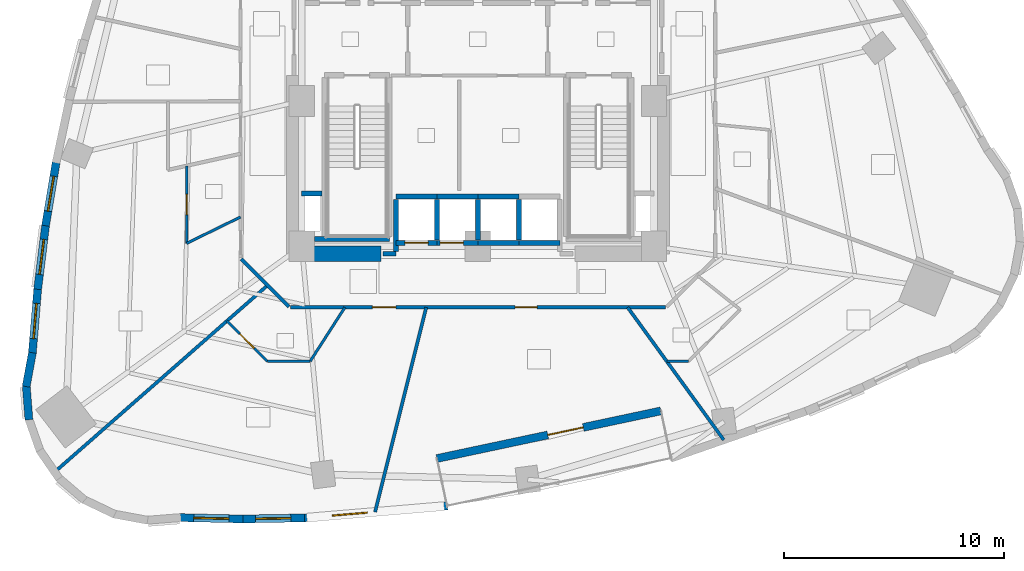
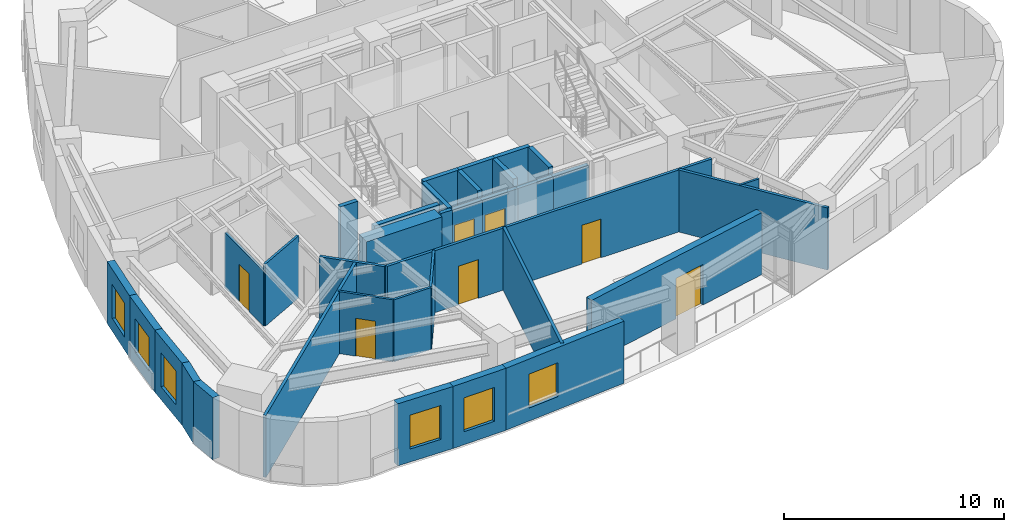
# One storey, part 5 of 12: 35 walls, 7 doors, 6 windows, 13 openings.
"""IFC4 building model written with IfcOpenShell, lengths in metres."""

from ifc_helpers import new_model, si_unit, direction, frame, frame_2d, origin, place, context, subcontext, project, spatial, rectangle, extrude, material, layer, layer_set, type_object, element, fill, save


model = new_model("IFC4")

# Units and contexts
model_context = context("Model", 3, precision=1e-05, world=origin(), true_north=direction((0.0, 1.0)))
body_context = subcontext(model_context, "Body", "Model", "MODEL_VIEW")
ifc_project = project(units=[si_unit("LENGTHUNIT", "METRE"), si_unit("AREAUNIT", "SQUARE_METRE"), si_unit("VOLUMEUNIT", "CUBIC_METRE"), si_unit("PLANEANGLEUNIT", "RADIAN"), si_unit("MASSUNIT", "GRAM", prefix="KILO")], contexts=[model_context])

# Site, building, storey
site_placement = place(None, origin())
site = spatial("IfcSite", under=ifc_project, at=site_placement, CompositionType="ELEMENT")
building_placement = place(site_placement, origin())
building = spatial("IfcBuilding", under=site, at=building_placement, Name="Ndelora Gate Hotel", CompositionType="ELEMENT")
storey_placement = place(building_placement, frame((0.0, 0.0, 79.25)))
storey = spatial("IfcBuildingStorey", under=building, at=storey_placement, Name="L19", CompositionType="ELEMENT", Elevation=79.25)

# Wall, opening, door
ifc_material_1 = material(Name="Clay Brick Masonry", Category="masonry")
ifc_layer_1 = layer(ifc_material_1, 0.360107421875)
ifc_layer_set_1 = layer_set([ifc_layer_1], Name="Clay Brick Masonry")
wall_type_1 = type_object("IfcWallType", Name="WL-BRICK-360", PredefinedType="SOLIDWALL", material=ifc_layer_set_1)
wall_1_placement = place(storey_placement, frame((8.309326171875, -14.081787109375, 0.0), z_axis=(0.0, 0.0, 1.0), x_axis=(-0.978145663611, -0.207920804056, 0.0)))
wall_1 = element("IfcWall", 1, at=wall_1_placement, inside=storey, type_object=wall_type_1, Name="L19 Sky-Garden Loggia Rear Brick Wall", PredefinedType="SOLIDWALL", context=body_context, shape_type="SweptSolid", body=[
    extrude(rectangle(XDim=10.39990234375, YDim=0.360107421875, at=frame_2d((5.199951171875, 0.0))), origin(), (0.0, 0.0, 1.0), 3.43994140625),
])
opening_1_placement = place(wall_1_placement, frame((3.60009765625, 0.0, 0.0)))
opening_1 = element("IfcOpeningElement", 2, at=opening_1_placement, cuts=wall_1, Name="Opening TD1", PredefinedType="OPENING", context=body_context, shape_type="SweptSolid", body=[
    extrude(rectangle(XDim=1.64990234375, YDim=2.25, at=frame_2d((0.824951171875, 1.125))), frame((0.0, 0.18994140625, 0.0), z_axis=(0.0, -1.0, 0.0), x_axis=(1.0, 0.0, 0.0)), (0.0, 0.0, 1.0), 0.380126953125),
])
ifc_material_2 = material(Name="Architectural Bronze Glazed Door", Category="metal")
door_type_1 = type_object("IfcDoorType", Name="DR-TER-1650", OperationType="DOUBLE_DOOR_SINGLE_SWING", PredefinedType="DOOR", material=ifc_material_2)
door_1_placement = place(opening_1_placement, origin())
door_1 = element("IfcDoor", 3, at=door_1_placement, inside=storey, type_object=door_type_1, Name="L19 Sky-Garden Terrace Double Door TD1", OperationType="DOUBLE_DOOR_SINGLE_SWING", OverallHeight=2.25, OverallWidth=1.64990234375, PredefinedType="DOOR", context=body_context, shape_type="SweptSolid", body=[
    extrude(rectangle(XDim=1.64990234375, YDim=2.25, at=frame_2d((0.824951171875, 1.125))), frame((0.0, 0.02490234375, 0.0), z_axis=(0.0, -1.0, 0.0), x_axis=(1.0, 0.0, 0.0)), (0.0, 0.0, 1.0), 0.050048828125),
])
fill(opening_1, door_1)

# Wall, opening, window
wall_2_placement = place(storey_placement, frame((-19.6357421875, -5.670654296875, 0.0), z_axis=(0.0, 0.0, 1.0), x_axis=(0.164870141486, 0.986315282476, 0.0)))
wall_2 = element("IfcWall", 4, at=wall_2_placement, inside=storey, type_object=wall_type_1, Name="L19 Tower Brick Pier-and-Spandrel Wall TWR-18", PredefinedType="SOLIDWALL", context=body_context, shape_type="SweptSolid", body=[
    extrude(rectangle(XDim=2.94091796875, YDim=0.360107421875, at=frame_2d((1.470458984375, 0.0))), origin(), (0.0, 0.0, 1.0), 3.43994140625),
])
opening_2_placement = place(wall_2_placement, frame((0.67041015625, 0.0, 0.719970703125)))
opening_2 = element("IfcOpeningElement", 5, at=opening_2_placement, cuts=wall_2, Name="Opening W01", PredefinedType="OPENING", context=body_context, shape_type="SweptSolid", body=[
    extrude(rectangle(XDim=1.60009765625, YDim=1.8798828125, at=frame_2d((0.800048828125, 0.93994140625))), frame((0.0, 0.18994140625, 0.0), z_axis=(0.0, -1.0, 0.0), x_axis=(1.0, 0.0, 0.0)), (0.0, 0.0, 1.0), 0.380126953125),
])
ifc_material_3 = material(Name="Insulated Low-E Double Glazing in Bronze Aluminium Frame", Category="aluminium")
window_type_1 = type_object("IfcWindowType", Name="WN-DEEP-1600", PartitioningType="SINGLE_PANEL", PredefinedType="WINDOW", material=ifc_material_3)
window_1_placement = place(opening_2_placement, origin())
window_1 = element("IfcWindow", 6, at=window_1_placement, inside=storey, type_object=window_type_1, Name="L19 Deep-Set Brick-Pier Window W01", OverallHeight=1.8798828125, OverallWidth=1.60009765625, PartitioningType="SINGLE_PANEL", PredefinedType="WINDOW", context=body_context, shape_type="SweptSolid", body=[
    extrude(rectangle(XDim=1.60009765625, YDim=1.8798828125, at=frame_2d((0.800048828125, 0.93994140625))), frame((0.0, 0.030029296875, 0.0), z_axis=(0.0, -1.0, 0.0), x_axis=(1.0, 0.0, 0.0)), (0.0, 0.0, 1.0), 0.06005859375),
])
fill(opening_2, window_1)

wall_3_placement = place(storey_placement, frame((-19.9951171875, -8.559814453125, 0.0), z_axis=(0.0, 0.0, 1.0), x_axis=(0.123740486397, 0.99231461343, 0.0)))
wall_3 = element("IfcWall", 7, at=wall_3_placement, inside=storey, type_object=wall_type_1, Name="L19 Tower Brick Pier-and-Spandrel Wall TWR-19", PredefinedType="SOLIDWALL", context=body_context, shape_type="SweptSolid", body=[
    extrude(rectangle(XDim=2.96142578125, YDim=0.360107421875, at=frame_2d((1.480712890625, 0.0))), origin(), (0.0, 0.0, 1.0), 3.43994140625),
])
opening_3_placement = place(wall_3_placement, frame((0.6806640625, 0.0, 0.719970703125)))
opening_3 = element("IfcOpeningElement", 8, at=opening_3_placement, cuts=wall_3, Name="Opening W01", PredefinedType="OPENING", context=body_context, shape_type="SweptSolid", body=[
    extrude(rectangle(XDim=1.60009765625, YDim=1.8798828125, at=frame_2d((0.800048828125, 0.93994140625))), frame((0.0, 0.18994140625, 0.0), z_axis=(0.0, -1.0, 0.0), x_axis=(1.0, 0.0, 0.0)), (0.0, 0.0, 1.0), 0.380126953125),
])
window_2_placement = place(opening_3_placement, origin())
window_2 = element("IfcWindow", 9, at=window_2_placement, inside=storey, type_object=window_type_1, Name="L19 Deep-Set Brick-Pier Window W01", OverallHeight=1.8798828125, OverallWidth=1.60009765625, PartitioningType="SINGLE_PANEL", PredefinedType="WINDOW", context=body_context, shape_type="SweptSolid", body=[
    extrude(rectangle(XDim=1.60009765625, YDim=1.8798828125, at=frame_2d((0.800048828125, 0.93994140625))), frame((0.0, 0.030029296875, 0.0), z_axis=(0.0, -1.0, 0.0), x_axis=(1.0, 0.0, 0.0)), (0.0, 0.0, 1.0), 0.06005859375),
])
fill(opening_3, window_2)

wall_4_placement = place(storey_placement, frame((-20.23828125, -11.486572265625, 0.0), z_axis=(0.0, 0.0, 1.0), x_axis=(0.083126652996, 0.996538990487, 0.0)))
wall_4 = element("IfcWall", 10, at=wall_4_placement, inside=storey, type_object=wall_type_1, Name="L19 Tower Brick Pier-and-Spandrel Wall TWR-20", PredefinedType="SOLIDWALL", context=body_context, shape_type="SweptSolid", body=[
    extrude(rectangle(XDim=2.98681640625, YDim=0.360107421875, at=frame_2d((1.493408203125, 0.0))), origin(), (0.0, 0.0, 1.0), 3.43994140625),
])
opening_4_placement = place(wall_4_placement, frame((0.693603515625, 0.0, 0.719970703125)))
opening_4 = element("IfcOpeningElement", 11, at=opening_4_placement, cuts=wall_4, Name="Opening W01", PredefinedType="OPENING", context=body_context, shape_type="SweptSolid", body=[
    extrude(rectangle(XDim=1.60009765625, YDim=1.8798828125, at=frame_2d((0.800048828125, 0.93994140625))), frame((0.0, 0.18994140625, 0.0), z_axis=(0.0, -1.0, 0.0), x_axis=(1.0, 0.0, 0.0)), (0.0, 0.0, 1.0), 0.380126953125),
])
window_3_placement = place(opening_4_placement, origin())
window_3 = element("IfcWindow", 12, at=window_3_placement, inside=storey, type_object=window_type_1, Name="L19 Deep-Set Brick-Pier Window W01", OverallHeight=1.8798828125, OverallWidth=1.60009765625, PartitioningType="SINGLE_PANEL", PredefinedType="WINDOW", context=body_context, shape_type="SweptSolid", body=[
    extrude(rectangle(XDim=1.60009765625, YDim=1.8798828125, at=frame_2d((0.800048828125, 0.93994140625))), frame((0.0, 0.030029296875, 0.0), z_axis=(0.0, -1.0, 0.0), x_axis=(1.0, 0.0, 0.0)), (0.0, 0.0, 1.0), 0.06005859375),
])
fill(opening_4, window_3)

# Walls
for number, where, z_axis, x_axis, name in (
    (13, (-20.516845703125, -12.97509765625, 0.0), (0.0, 0.0, 1.0), (0.18229045082, 0.983244726169, 0.0), "L19 Tower Brick Pier-and-Spandrel Wall TWR-21"),
    (14, (-20.391357421875, -14.48486328125, 0.0), (0.0, 0.0, 1.0), (-0.078510627557, 0.99691327675, 0.0), "L19 Tower Brick Pier-and-Spandrel Wall TWR-22"),
):
    element("IfcWall", number, at=place(storey_placement, frame(where, z_axis=z_axis, x_axis=x_axis)), inside=storey, type_object=wall_type_1, Name=name, PredefinedType="SOLIDWALL", context=body_context, shape_type="SweptSolid", body=[
        extrude(rectangle(XDim=1.564208984375, YDim=0.360107421875, at=frame_2d((0.7822265625, 0.0))), origin(), (0.0, 0.0, 1.0), 3.43994140625),
    ])

# Wall, opening, window
wall_5_placement = place(storey_placement, frame((-10.669921875, -18.99072265625, 0.0), z_axis=(0.0, 0.0, 1.0), x_axis=(-0.999751621908, 0.02228664383, 0.0)))
wall_5 = element("IfcWall", 15, at=wall_5_placement, inside=storey, type_object=wall_type_1, Name="L19 Tower Brick Pier-and-Spandrel Wall TWR-29", PredefinedType="SOLIDWALL", context=body_context, shape_type="SweptSolid", body=[
    extrude(rectangle(XDim=2.8701171875, YDim=0.360107421875, at=frame_2d((1.43505859375, 0.0))), origin(), (0.0, 0.0, 1.0), 3.43994140625),
])
opening_5_placement = place(wall_5_placement, frame((0.635009765625, 0.0, 0.719970703125)))
opening_5 = element("IfcOpeningElement", 16, at=opening_5_placement, cuts=wall_5, Name="Opening W03", PredefinedType="OPENING", context=body_context, shape_type="SweptSolid", body=[
    extrude(rectangle(XDim=1.60009765625, YDim=1.8798828125, at=frame_2d((0.800048828125, 0.93994140625))), frame((0.0, 0.18994140625, 0.0), z_axis=(0.0, -1.0, 0.0), x_axis=(1.0, 0.0, 0.0)), (0.0, 0.0, 1.0), 0.380126953125),
])
window_type_2 = type_object("IfcWindowType", Name="WN-CORN-2100", PartitioningType="SINGLE_PANEL", PredefinedType="WINDOW", material=ifc_material_3)
window_4_placement = place(opening_5_placement, origin())
window_4 = element("IfcWindow", 17, at=window_4_placement, inside=storey, type_object=window_type_2, Name="L19 Deep-Set Brick-Pier Window W03", OverallHeight=1.8798828125, OverallWidth=1.60009765625, PartitioningType="SINGLE_PANEL", PredefinedType="WINDOW", context=body_context, shape_type="SweptSolid", body=[
    extrude(rectangle(XDim=1.60009765625, YDim=1.8798828125, at=frame_2d((0.800048828125, 0.93994140625))), frame((0.0, 0.030029296875, 0.0), z_axis=(0.0, -1.0, 0.0), x_axis=(1.0, 0.0, 0.0)), (0.0, 0.0, 1.0), 0.06005859375),
])
fill(opening_5, window_4)

wall_6_placement = place(storey_placement, frame((-7.8740234375, -18.9423828125, 0.0), z_axis=(0.0, 0.0, 1.0), x_axis=(-0.999857230365, -0.016897304142, 0.0)))
wall_6 = element("IfcWall", 18, at=wall_6_placement, inside=storey, type_object=wall_type_1, Name="L19 Tower Brick Pier-and-Spandrel Wall TWR-30", PredefinedType="SOLIDWALL", context=body_context, shape_type="SweptSolid", body=[
    extrude(rectangle(XDim=2.846435546875, YDim=0.360107421875, at=frame_2d((1.42333984375, 0.0))), origin(), (0.0, 0.0, 1.0), 3.43994140625),
])
opening_6_placement = place(wall_6_placement, frame((0.623291015625, 0.0, 0.719970703125)))
opening_6 = element("IfcOpeningElement", 19, at=opening_6_placement, cuts=wall_6, Name="Opening W01", PredefinedType="OPENING", context=body_context, shape_type="SweptSolid", body=[
    extrude(rectangle(XDim=1.60009765625, YDim=1.8798828125, at=frame_2d((0.800048828125, 0.93994140625))), frame((0.0, 0.18994140625, 0.0), z_axis=(0.0, -1.0, 0.0), x_axis=(1.0, 0.0, 0.0)), (0.0, 0.0, 1.0), 0.380126953125),
])
window_5_placement = place(opening_6_placement, origin())
window_5 = element("IfcWindow", 20, at=window_5_placement, inside=storey, type_object=window_type_1, Name="L19 Deep-Set Brick-Pier Window W01", OverallHeight=1.8798828125, OverallWidth=1.60009765625, PartitioningType="SINGLE_PANEL", PredefinedType="WINDOW", context=body_context, shape_type="SweptSolid", body=[
    extrude(rectangle(XDim=1.60009765625, YDim=1.8798828125, at=frame_2d((0.800048828125, 0.93994140625))), frame((0.0, 0.030029296875, 0.0), z_axis=(0.0, -1.0, 0.0), x_axis=(1.0, 0.0, 0.0)), (0.0, 0.0, 1.0), 0.06005859375),
])
fill(opening_6, window_5)

wall_7_placement = place(storey_placement, frame((-1.381103515625, -18.39404296875, 0.0), z_axis=(0.0, 0.0, 1.0), x_axis=(-0.996472288139, -0.083922458089, 0.0)))
wall_7 = element("IfcWall", 21, at=wall_7_placement, inside=storey, type_object=wall_type_1, Name="L19 Tower Brick Pier-and-Spandrel Wall TWR-31", PredefinedType="SOLIDWALL", context=body_context, shape_type="SweptSolid", body=[
    extrude(rectangle(XDim=6.56591796875, YDim=0.360107421875, at=frame_2d((3.282958984375, 0.0))), origin(), (0.0, 0.0, 1.0), 3.43994140625),
])
opening_7_placement = place(wall_7_placement, frame((3.659912109375, 0.0, 0.719970703125)))
opening_7 = element("IfcOpeningElement", 22, at=opening_7_placement, cuts=wall_7, Name="Opening W01", PredefinedType="OPENING", context=body_context, shape_type="SweptSolid", body=[
    extrude(rectangle(XDim=1.60009765625, YDim=1.8798828125, at=frame_2d((0.800048828125, 0.93994140625))), frame((0.0, 0.18994140625, 0.0), z_axis=(0.0, -1.0, 0.0), x_axis=(1.0, 0.0, 0.0)), (0.0, 0.0, 1.0), 0.380126953125),
])
window_6_placement = place(opening_7_placement, origin())
window_6 = element("IfcWindow", 23, at=window_6_placement, inside=storey, type_object=window_type_1, Name="L19 Deep-Set Brick-Pier Window W01", OverallHeight=1.8798828125, OverallWidth=1.60009765625, PartitioningType="SINGLE_PANEL", PredefinedType="WINDOW", context=body_context, shape_type="SweptSolid", body=[
    extrude(rectangle(XDim=1.60009765625, YDim=1.8798828125, at=frame_2d((0.800048828125, 0.93994140625))), frame((0.0, 0.030029296875, 0.0), z_axis=(0.0, -1.0, 0.0), x_axis=(1.0, 0.0, 0.0)), (0.0, 0.0, 1.0), 0.06005859375),
])
fill(opening_7, window_6)

# Walls
ifc_material_4 = material(Name="Concrete C60/75", Category="concrete")
ifc_layer_2 = layer(ifc_material_4, 0.699951171875)
ifc_layer_set_2 = layer_set([ifc_layer_2], Name="Concrete C60/75")
wall_type_2 = type_object("IfcWallType", Name="WL-CORE-700", PredefinedType="SHEAR", material=ifc_layer_set_2)
wall_8_placement = place(storey_placement, frame((-8.35009765625, -6.949951171875, 0.0), z_axis=(0.0, 0.0, 1.0), x_axis=(1.0, 0.0, 0.0)))
element("IfcWall", 24, at=wall_8_placement, inside=storey, type_object=wall_type_2, Name="L19 Core Shear Wall S-W", PredefinedType="SHEAR", context=body_context, shape_type="SweptSolid", body=[
    extrude(rectangle(XDim=3.9501953125, YDim=0.699951171875, at=frame_2d((1.97509765625, 0.0))), origin(), (0.0, 0.0, 1.0), 3.43994140625),
])
ifc_material_5 = material(Name="Concrete C40/50", Category="concrete")
ifc_layer_3 = layer(ifc_material_5, 0.199951171875)
ifc_layer_set_3 = layer_set([ifc_layer_3], Name="Concrete C40/50")
wall_type_3 = type_object("IfcWallType", Name="WL-FIRE-200", PredefinedType="PARTITIONING", material=ifc_layer_set_3)
wall_9_placement = place(storey_placement, frame((-4.320068359375, -6.949951171875, 0.0), z_axis=(0.0, 0.0, 1.0), x_axis=(1.0, 0.0, 0.0)))
element("IfcWall", 25, at=wall_9_placement, inside=storey, type_object=wall_type_3, Name="L19 Interior Wall IW-2", PredefinedType="PARTITIONING", context=body_context, shape_type="SweptSolid", body=[
    extrude(rectangle(XDim=0.60009765625, YDim=0.199951171875, at=frame_2d((0.300048828125, 0.0))), origin(), (0.0, 0.0, 1.0), 3.43994140625),
])

# Wall, openings, doors
ifc_material_6 = material(Name="Fire-Rated Gypsum Stud Partition", Category="gypsum")
ifc_layer_4 = layer(ifc_material_6, 0.14990234375)
ifc_layer_set_4 = layer_set([ifc_layer_4], Name="Fire-Rated Gypsum Stud Partition")
wall_type_4 = type_object("IfcWallType", Name="WL-PART-150", PredefinedType="PARTITIONING", material=ifc_layer_set_4)
wall_10_placement = place(storey_placement, frame((8.510009765625, -9.3798828125, 0.0), z_axis=(0.0, 0.0, 1.0), x_axis=(-1.0, 0.0, 0.0)))
wall_10 = element("IfcWall", 26, at=wall_10_placement, inside=storey, type_object=wall_type_4, Name="L19 Interior Wall IW-5", PredefinedType="PARTITIONING", context=body_context, shape_type="SweptSolid", body=[
    extrude(rectangle(XDim=17.02001953125, YDim=0.14990234375, at=frame_2d((8.510009765625, 0.0))), origin(), (0.0, 0.0, 1.0), 3.43994140625),
])
opening_8_placement = place(wall_10_placement, frame((5.815185546875, 0.0, 0.0)))
opening_8 = element("IfcOpeningElement", 27, at=opening_8_placement, cuts=wall_10, Name="Opening D01", PredefinedType="OPENING", context=body_context, shape_type="SweptSolid", body=[
    extrude(rectangle(XDim=1.0, YDim=2.14990234375, at=frame_2d((0.5, 1.074951171875))), frame((0.0, 0.0849609375, 0.0), z_axis=(0.0, -1.0, 0.0), x_axis=(1.0, 0.0, 0.0)), (0.0, 0.0, 1.0), 0.169921875),
])
opening_9_placement = place(wall_10_placement, frame((12.23779296875, 0.0, 0.0)))
opening_9 = element("IfcOpeningElement", 28, at=opening_9_placement, cuts=wall_10, Name="Opening D07", PredefinedType="OPENING", context=body_context, shape_type="SweptSolid", body=[
    extrude(rectangle(XDim=1.06005859375, YDim=2.14990234375, at=frame_2d((0.530029296875, 1.074951171875))), frame((0.0, 0.0849609375, 0.0), z_axis=(0.0, -1.0, 0.0), x_axis=(1.0, 0.0, 0.0)), (0.0, 0.0, 1.0), 0.169921875),
])
ifc_material_7 = material(Name="Acoustic Hardwood Guest Entrance Door", Category="wood")
door_type_2 = type_object("IfcDoorType", Name="DR-COR-1000", OperationType="SINGLE_SWING_LEFT", PredefinedType="DOOR", material=ifc_material_7)
door_2_placement = place(opening_8_placement, origin())
door_2 = element("IfcDoor", 29, at=door_2_placement, inside=storey, type_object=door_type_2, Name="L19 Sky Garden Tea Dining Room Entrance Door", OperationType="SINGLE_SWING_LEFT", OverallHeight=2.14990234375, OverallWidth=1.0, PredefinedType="DOOR", context=body_context, shape_type="SweptSolid", body=[
    extrude(rectangle(XDim=1.0, YDim=2.14990234375, at=frame_2d((0.5, 1.074951171875))), frame((0.0, 0.02490234375, 0.0), z_axis=(0.0, -1.0, 0.0), x_axis=(1.0, 0.0, 0.0)), (0.0, 0.0, 1.0), 0.050048828125),
])
fill(opening_8, door_2)
ifc_material_8 = material(Name="Diplomatic Suite Acoustic Entrance Door", Category="wood")
door_type_3 = type_object("IfcDoorType", Name="DR-SUITE-1060", OperationType="SINGLE_SWING_LEFT", PredefinedType="DOOR", material=ifc_material_8)
door_3_placement = place(opening_9_placement, origin())
door_3 = element("IfcDoor", 30, at=door_3_placement, inside=storey, type_object=door_type_3, Name="L19 Corner Executive Suite 2202 Entrance Door", OperationType="SINGLE_SWING_LEFT", OverallHeight=2.14990234375, OverallWidth=1.06005859375, PredefinedType="DOOR", context=body_context, shape_type="SweptSolid", body=[
    extrude(rectangle(XDim=1.06005859375, YDim=2.14990234375, at=frame_2d((0.530029296875, 1.074951171875))), frame((0.0, 0.02490234375, 0.0), z_axis=(0.0, -1.0, 0.0), x_axis=(1.0, 0.0, 0.0)), (0.0, 0.0, 1.0), 0.050048828125),
])
fill(opening_9, door_3)

# Walls
wall_11_placement = place(storey_placement, frame((-8.578369140625, -9.351806640625, 0.0), z_axis=(0.0, 0.0, 1.0), x_axis=(-0.707067066127, 0.707146494016, 0.0)))
element("IfcWall", 31, at=wall_11_placement, inside=storey, type_object=wall_type_4, Name="L19 Interior Wall IW-5", PredefinedType="PARTITIONING", context=body_context, shape_type="SweptSolid", body=[
    extrude(rectangle(XDim=3.07373046875, YDim=0.14990234375, at=frame_2d((1.536865234375, 0.0))), origin(), (0.0, 0.0, 1.0), 3.43994140625),
])
wall_12_placement = place(storey_placement, frame((-9.552490234375, -8.37744140625, 0.0), z_axis=(0.0, 0.0, 1.0), x_axis=(-0.751837697968, -0.659348220529, 0.0)))
element("IfcWall", 32, at=wall_12_placement, inside=storey, type_object=wall_type_4, Name="L19 Interior Wall IW-5", PredefinedType="PARTITIONING", context=body_context, shape_type="SweptSolid", body=[
    extrude(rectangle(XDim=12.8603515625, YDim=0.14990234375, at=frame_2d((6.43017578125, 0.0))), origin(), (0.0, 0.0, 1.0), 3.43994140625),
])
wall_13_placement = place(storey_placement, frame((-2.34521484375, -9.3798828125, 0.0), z_axis=(0.0, 0.0, 1.0), x_axis=(-0.242559617753, -0.970136501651, 0.0)))
element("IfcWall", 33, at=wall_13_placement, inside=storey, type_object=wall_type_4, Name="L19 Interior Wall IW-5", PredefinedType="PARTITIONING", context=body_context, shape_type="SweptSolid", body=[
    extrude(rectangle(XDim=9.576904296875, YDim=0.14990234375, at=frame_2d((4.78857421875, 0.0))), origin(), (0.0, 0.0, 1.0), 3.43994140625),
])
wall_14_placement = place(storey_placement, frame((6.802490234375, -9.3798828125, 0.0), z_axis=(0.0, 0.0, 1.0), x_axis=(0.587044518105, -0.809554651499, 0.0)))
element("IfcWall", 34, at=wall_14_placement, inside=storey, type_object=wall_type_4, Name="L19 Interior Wall IW-5", PredefinedType="PARTITIONING", context=body_context, shape_type="SweptSolid", body=[
    extrude(rectangle(XDim=7.434814453125, YDim=0.14990234375, at=frame_2d((3.71728515625, 0.0))), origin(), (0.0, 0.0, 1.0), 3.43994140625),
])
ifc_layer_5 = layer(ifc_material_5, 0.219970703125)
ifc_layer_set_5 = layer_set([ifc_layer_5], Name="Concrete C40/50")
wall_type_5 = type_object("IfcWallType", Name="WL-SHAFT-220", PredefinedType="PARTITIONING", material=ifc_layer_set_5)
wall_15_placement = place(storey_placement, frame((-8.0, -4.199951171875, 0.0), z_axis=(0.0, 0.0, 1.0), x_axis=(1.0, 0.0, 0.0)))
element("IfcWall", 35, at=wall_15_placement, inside=storey, type_object=wall_type_5, Name="L19 Interior Wall IW-1", PredefinedType="PARTITIONING", context=body_context, shape_type="SweptSolid", body=[
    extrude(rectangle(XDim=0.909912109375, YDim=0.219970703125, at=frame_2d((0.455078125, 0.0))), origin(), (0.0, 0.0, 1.0), 3.43994140625),
])

# Wall, opening, door
wall_16_placement = place(storey_placement, frame((-3.719970703125, -6.449951171875, 0.0), z_axis=(0.0, 0.0, 1.0), x_axis=(1.0, 0.0, 0.0)))
wall_16 = element("IfcWall", 36, at=wall_16_placement, inside=storey, type_object=wall_type_5, Name="L19 Interior Wall IW-1", PredefinedType="PARTITIONING", context=body_context, shape_type="SweptSolid", body=[
    extrude(rectangle(XDim=1.85986328125, YDim=0.219970703125, at=frame_2d((0.929931640625, 0.0))), origin(), (0.0, 0.0, 1.0), 3.02001953125),
])
opening_10_placement = place(wall_16_placement, frame((0.39990234375, 0.0, 0.0)))
opening_10 = element("IfcOpeningElement", 37, at=opening_10_placement, cuts=wall_16, Name="Opening LD1", PredefinedType="OPENING", context=body_context, shape_type="SweptSolid", body=[
    extrude(rectangle(XDim=1.06005859375, YDim=2.14990234375, at=frame_2d((0.530029296875, 1.074951171875))), frame((0.0, 0.1201171875, 0.0), z_axis=(0.0, -1.0, 0.0), x_axis=(1.0, 0.0, 0.0)), (0.0, 0.0, 1.0), 0.239990234375),
])
ifc_material_9 = material(Name="Brushed Bronze Stainless Lift Landing Door", Category="metal")
door_type_4 = type_object("IfcDoorType", Name="DR-LD1", OperationType="DOUBLE_DOOR_SLIDING", PredefinedType="DOOR", material=ifc_material_9)
door_4_placement = place(opening_10_placement, origin())
door_4 = element("IfcDoor", 38, at=door_4_placement, inside=storey, type_object=door_type_4, Name="L19 Lift Landing Sliding Door P1A", OperationType="DOUBLE_DOOR_SLIDING", OverallHeight=2.14990234375, OverallWidth=1.06005859375, PredefinedType="DOOR", context=body_context, shape_type="SweptSolid", body=[
    extrude(rectangle(XDim=1.06005859375, YDim=2.14990234375, at=frame_2d((0.530029296875, 1.074951171875))), frame((0.0, 0.02490234375, 0.0), z_axis=(0.0, -1.0, 0.0), x_axis=(1.0, 0.0, 0.0)), (0.0, 0.0, 1.0), 0.050048828125),
])
fill(opening_10, door_4)

# Walls
wall_17_placement = place(storey_placement, frame((-3.719970703125, -4.35009765625, 0.0), z_axis=(0.0, 0.0, 1.0), x_axis=(1.0, 0.0, 0.0)))
element("IfcWall", 39, at=wall_17_placement, inside=storey, type_object=wall_type_5, Name="L19 Interior Wall IW-1", PredefinedType="PARTITIONING", context=body_context, shape_type="SweptSolid", body=[
    extrude(rectangle(XDim=1.85986328125, YDim=0.219970703125, at=frame_2d((0.929931640625, 0.0))), origin(), (0.0, 0.0, 1.0), 3.43994140625),
])
wall_18_placement = place(storey_placement, frame((-3.719970703125, -6.830078125, 0.0), z_axis=(0.0, 0.0, 1.0), x_axis=(0.0, 1.0, 0.0)))
element("IfcWall", 40, at=wall_18_placement, inside=storey, type_object=wall_type_5, Name="L19 Interior Wall IW-1", PredefinedType="PARTITIONING", context=body_context, shape_type="SweptSolid", body=[
    extrude(rectangle(XDim=2.360107421875, YDim=0.219970703125, at=frame_2d((1.18017578125, 0.0))), origin(), (0.0, 0.0, 1.0), 3.43994140625),
])
wall_19_placement = place(storey_placement, frame((-1.860107421875, -6.330078125, 0.0), z_axis=(0.0, 0.0, 1.0), x_axis=(0.0, 1.0, 0.0)))
element("IfcWall", 41, at=wall_19_placement, inside=storey, type_object=wall_type_5, Name="L19 Interior Wall IW-1", PredefinedType="PARTITIONING", context=body_context, shape_type="SweptSolid", body=[
    extrude(rectangle(XDim=1.860107421875, YDim=0.219970703125, at=frame_2d((0.93017578125, 0.0))), origin(), (0.0, 0.0, 1.0), 3.43994140625),
])

# Wall, opening, door
wall_20_placement = place(storey_placement, frame((-1.860107421875, -6.449951171875, 0.0), z_axis=(0.0, 0.0, 1.0), x_axis=(1.0, 0.0, 0.0)))
wall_20 = element("IfcWall", 42, at=wall_20_placement, inside=storey, type_object=wall_type_5, Name="L19 Interior Wall IW-1", PredefinedType="PARTITIONING", context=body_context, shape_type="SweptSolid", body=[
    extrude(rectangle(XDim=1.860107421875, YDim=0.219970703125, at=frame_2d((0.93017578125, 0.0))), origin(), (0.0, 0.0, 1.0), 3.02001953125),
])
opening_11_placement = place(wall_20_placement, frame((0.139892578125, 0.0, 0.0)))
opening_11 = element("IfcOpeningElement", 43, at=opening_11_placement, cuts=wall_20, Name="Opening LD1", PredefinedType="OPENING", context=body_context, shape_type="SweptSolid", body=[
    extrude(rectangle(XDim=1.06005859375, YDim=2.14990234375, at=frame_2d((0.530029296875, 1.074951171875))), frame((0.0, 0.1201171875, 0.0), z_axis=(0.0, -1.0, 0.0), x_axis=(1.0, 0.0, 0.0)), (0.0, 0.0, 1.0), 0.239990234375),
])
door_5_placement = place(opening_11_placement, origin())
door_5 = element("IfcDoor", 44, at=door_5_placement, inside=storey, type_object=door_type_4, Name="L19 Lift Landing Sliding Door P1B", OperationType="DOUBLE_DOOR_SLIDING", OverallHeight=2.14990234375, OverallWidth=1.06005859375, PredefinedType="DOOR", context=body_context, shape_type="SweptSolid", body=[
    extrude(rectangle(XDim=1.06005859375, YDim=2.14990234375, at=frame_2d((0.530029296875, 1.074951171875))), frame((0.0, 0.02490234375, 0.0), z_axis=(0.0, -1.0, 0.0), x_axis=(1.0, 0.0, 0.0)), (0.0, 0.0, 1.0), 0.050048828125),
])
fill(opening_11, door_5)

# Walls
for number, where, z_axis, x_axis, name in (
    (45, (-1.860107421875, -4.35009765625, 0.0), (0.0, 0.0, 1.0), (1.0, 0.0, 0.0), "L19 Interior Wall IW-1"),
    (46, (0.0, -6.330078125, 0.0), (0.0, 0.0, 1.0), (0.0, 1.0, 0.0), "L19 Interior Wall IW-1"),
):
    element("IfcWall", number, at=place(storey_placement, frame(where, z_axis=z_axis, x_axis=x_axis)), inside=storey, type_object=wall_type_5, Name=name, PredefinedType="PARTITIONING", context=body_context, shape_type="SweptSolid", body=[
        extrude(rectangle(XDim=1.860107421875, YDim=0.219970703125, at=frame_2d((0.93017578125, 0.0))), origin(), (0.0, 0.0, 1.0), 3.43994140625),
    ])
wall_21_placement = place(storey_placement, frame((0.0, -6.449951171875, 0.0), z_axis=(0.0, 0.0, 1.0), x_axis=(1.0, 0.0, 0.0)))
element("IfcWall", 47, at=wall_21_placement, inside=storey, type_object=wall_type_5, Name="L19 Interior Wall IW-1", PredefinedType="PARTITIONING", context=body_context, shape_type="SweptSolid", body=[
    extrude(rectangle(XDim=1.860107421875, YDim=0.219970703125, at=frame_2d((0.93017578125, 0.0))), origin(), (0.0, 0.0, 1.0), 3.02001953125),
])
for number, where, z_axis, x_axis, name in (
    (48, (0.0, -4.35009765625, 0.0), (0.0, 0.0, 1.0), (1.0, 0.0, 0.0), "L19 Interior Wall IW-1"),
    (49, (1.860107421875, -6.330078125, 0.0), (0.0, 0.0, 1.0), (0.0, 1.0, 0.0), "L19 Interior Wall IW-1"),
):
    element("IfcWall", number, at=place(storey_placement, frame(where, z_axis=z_axis, x_axis=x_axis)), inside=storey, type_object=wall_type_5, Name=name, PredefinedType="PARTITIONING", context=body_context, shape_type="SweptSolid", body=[
        extrude(rectangle(XDim=1.860107421875, YDim=0.219970703125, at=frame_2d((0.93017578125, 0.0))), origin(), (0.0, 0.0, 1.0), 3.43994140625),
    ])
wall_22_placement = place(storey_placement, frame((1.860107421875, -6.449951171875, 0.0), z_axis=(0.0, 0.0, 1.0), x_axis=(1.0, 0.0, 0.0)))
element("IfcWall", 50, at=wall_22_placement, inside=storey, type_object=wall_type_5, Name="L19 Interior Wall IW-1", PredefinedType="PARTITIONING", context=body_context, shape_type="SweptSolid", body=[
    extrude(rectangle(XDim=1.85986328125, YDim=0.219970703125, at=frame_2d((0.929931640625, 0.0))), origin(), (0.0, 0.0, 1.0), 3.02001953125),
])
ifc_material_10 = material(Name="Concrete C50/60", Category="concrete")
ifc_layer_6 = layer(ifc_material_10, 0.239990234375)
ifc_layer_set_6 = layer_set([ifc_layer_6], Name="Concrete C50/60")
wall_type_6 = type_object("IfcWallType", Name="WL-STAIR-240", PredefinedType="SHEAR", material=ifc_layer_set_6)
wall_23_placement = place(storey_placement, frame((-7.425048828125, -6.27001953125, 0.0), z_axis=(0.0, 0.0, 1.0), x_axis=(1.0, 0.0, 0.0)))
element("IfcWall", 51, at=wall_23_placement, inside=storey, type_object=wall_type_6, Name="L19 Stair Core Shear Wall SW-ST", PredefinedType="SHEAR", context=body_context, shape_type="SweptSolid", body=[
    extrude(rectangle(XDim=3.4150390625, YDim=0.239990234375, at=frame_2d((1.70751953125, 0.0))), origin(), (0.0, 0.0, 1.0), 3.43994140625),
])
ifc_material_11 = material(Name="Moisture-Resistant Bathroom Tile Partition", Category="gypsum")
ifc_layer_7 = layer(ifc_material_11, 0.1201171875)
ifc_layer_set_7 = layer_set([ifc_layer_7], Name="Moisture-Resistant Bathroom Tile Partition")
wall_type_7 = type_object("IfcWallType", Name="WL-WET-120", PredefinedType="PARTITIONING", material=ifc_layer_set_7)
wall_24_placement = place(storey_placement, frame((-10.780029296875, -5.273193359375, 0.0), z_axis=(0.0, 0.0, 1.0), x_axis=(-0.898278372968, -0.439426859282, 0.0)))
element("IfcWall", 52, at=wall_24_placement, inside=storey, type_object=wall_type_7, Name="L19 Interior Wall IW-7", PredefinedType="PARTITIONING", context=body_context, shape_type="SweptSolid", body=[
    extrude(rectangle(XDim=2.727294921875, YDim=0.1201171875, at=frame_2d((1.36376953125, 0.0))), origin(), (0.0, 0.0, 1.0), 3.43994140625),
])

# Wall, opening, door
wall_25_placement = place(storey_placement, frame((-13.22998046875, -6.4716796875, 0.0), z_axis=(0.0, 0.0, 1.0), x_axis=(0.0, 1.0, 0.0)))
wall_25 = element("IfcWall", 53, at=wall_25_placement, inside=storey, type_object=wall_type_7, Name="L19 Interior Wall IW-7", PredefinedType="PARTITIONING", context=body_context, shape_type="SweptSolid", body=[
    extrude(rectangle(XDim=3.522705078125, YDim=0.1201171875, at=frame_2d((1.76123046875, 0.0))), origin(), (0.0, 0.0, 1.0), 3.06005859375),
])
opening_12_placement = place(wall_25_placement, frame((1.30126953125, 0.0, 0.0)))
opening_12 = element("IfcOpeningElement", 54, at=opening_12_placement, cuts=wall_25, Name="Opening D03", PredefinedType="OPENING", context=body_context, shape_type="SweptSolid", body=[
    extrude(rectangle(XDim=0.919921875, YDim=2.10009765625, at=frame_2d((0.4599609375, 1.050048828125))), frame((0.0, 0.070068359375, 0.0), z_axis=(0.0, -1.0, 0.0), x_axis=(1.0, 0.0, 0.0)), (0.0, 0.0, 1.0), 0.14013671875),
])
ifc_material_12 = material(Name="Moisture-Resistant Hardwood En-Suite Door", Category="wood")
door_type_5 = type_object("IfcDoorType", Name="DR-BATH-920", OperationType="SINGLE_SWING_LEFT", PredefinedType="DOOR", material=ifc_material_12)
door_6_placement = place(opening_12_placement, origin())
door_6 = element("IfcDoor", 55, at=door_6_placement, inside=storey, type_object=door_type_5, Name="L19 En-suite Bathroom 2201 Door", OperationType="SINGLE_SWING_RIGHT", OverallHeight=2.10009765625, OverallWidth=0.919921875, PredefinedType="DOOR", context=body_context, shape_type="SweptSolid", body=[
    extrude(rectangle(XDim=0.919921875, YDim=2.10009765625, at=frame_2d((0.4599609375, 1.050048828125))), frame((0.0, 0.02490234375, 0.0), z_axis=(0.0, -1.0, 0.0), x_axis=(1.0, 0.0, 0.0)), (0.0, 0.0, 1.0), 0.050048828125),
])
fill(opening_12, door_6)

# Walls
wall_26_placement = place(storey_placement, frame((-7.61865234375, -11.830078125, 0.0), z_axis=(0.0, 0.0, 1.0), x_axis=(0.541367176674, 0.840786286769, 0.0)))
element("IfcWall", 56, at=wall_26_placement, inside=storey, type_object=wall_type_7, Name="L19 Interior Wall IW-7", PredefinedType="PARTITIONING", context=body_context, shape_type="SweptSolid", body=[
    extrude(rectangle(XDim=2.9140625, YDim=0.1201171875, at=frame_2d((1.45703125, 0.0))), origin(), (0.0, 0.0, 1.0), 3.43994140625),
])
wall_27_placement = place(storey_placement, frame((-7.61865234375, -11.830078125, 0.0), z_axis=(0.0, 0.0, 1.0), x_axis=(-1.0, 0.0, 0.0)))
element("IfcWall", 57, at=wall_27_placement, inside=storey, type_object=wall_type_7, Name="L19 Interior Wall IW-7", PredefinedType="PARTITIONING", context=body_context, shape_type="SweptSolid", body=[
    extrude(rectangle(XDim=1.946044921875, YDim=0.1201171875, at=frame_2d((0.97314453125, 0.0))), origin(), (0.0, 0.0, 1.0), 3.43994140625),
])

# Wall, opening, door
wall_28_placement = place(storey_placement, frame((-9.564697265625, -11.830078125, 0.0), z_axis=(0.0, 0.0, 1.0), x_axis=(-0.707106781187, 0.707106781187, 0.0)))
wall_28 = element("IfcWall", 58, at=wall_28_placement, inside=storey, type_object=wall_type_7, Name="L19 Interior Wall IW-7", PredefinedType="PARTITIONING", context=body_context, shape_type="SweptSolid", body=[
    extrude(rectangle(XDim=2.59326171875, YDim=0.1201171875, at=frame_2d((1.296630859375, 0.0))), origin(), (0.0, 0.0, 1.0), 3.43994140625),
])
opening_13_placement = place(wall_28_placement, frame((0.836669921875, 0.0, 0.0)))
opening_13 = element("IfcOpeningElement", 59, at=opening_13_placement, cuts=wall_28, Name="Opening D03", PredefinedType="OPENING", context=body_context, shape_type="SweptSolid", body=[
    extrude(rectangle(XDim=0.919921875, YDim=2.10009765625, at=frame_2d((0.4599609375, 1.050048828125))), frame((0.0, 0.070068359375, 0.0), z_axis=(0.0, -1.0, 0.0), x_axis=(1.0, 0.0, 0.0)), (0.0, 0.0, 1.0), 0.14013671875),
])
door_7_placement = place(opening_13_placement, origin())
door_7 = element("IfcDoor", 60, at=door_7_placement, inside=storey, type_object=door_type_5, Name="L19 En-suite Bathroom 2202 Door", OperationType="SINGLE_SWING_LEFT", OverallHeight=2.10009765625, OverallWidth=0.919921875, PredefinedType="DOOR", context=body_context, shape_type="SweptSolid", body=[
    extrude(rectangle(XDim=0.919921875, YDim=2.10009765625, at=frame_2d((0.4599609375, 1.050048828125))), frame((0.0, 0.02490234375, 0.0), z_axis=(0.0, -1.0, 0.0), x_axis=(1.0, 0.0, 0.0)), (0.0, 0.0, 1.0), 0.050048828125),
])
fill(opening_13, door_7)

# Wall
wall_29_placement = place(storey_placement, frame((8.5791015625, -11.830078125, 0.0), z_axis=(0.0, 0.0, 1.0), x_axis=(1.0, 0.0, 0.0)))
element("IfcWall", 61, at=wall_29_placement, inside=storey, type_object=wall_type_7, Name="L19 Interior Wall IW-7", PredefinedType="PARTITIONING", context=body_context, shape_type="SweptSolid", body=[
    extrude(rectangle(XDim=0.985595703125, YDim=0.1201171875, at=frame_2d((0.49267578125, 0.0))), origin(), (0.0, 0.0, 1.0), 3.43994140625),
])

save(model, "model.ifc")
